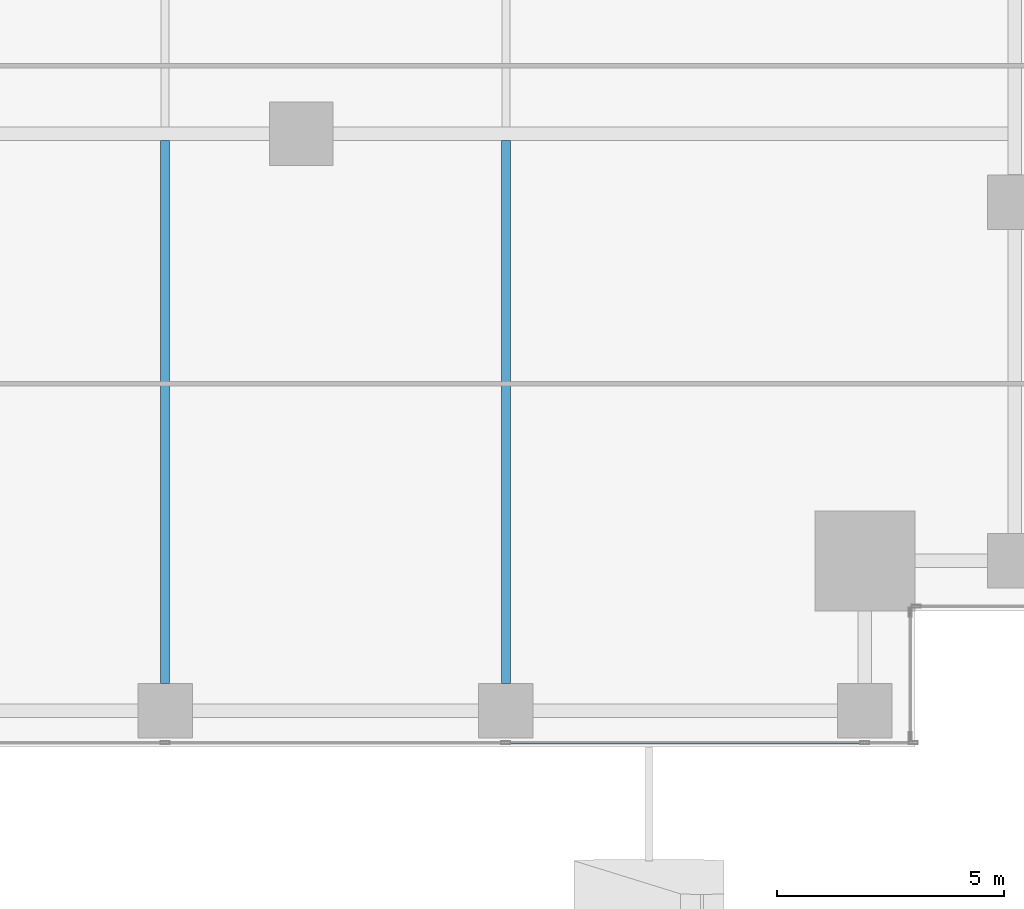
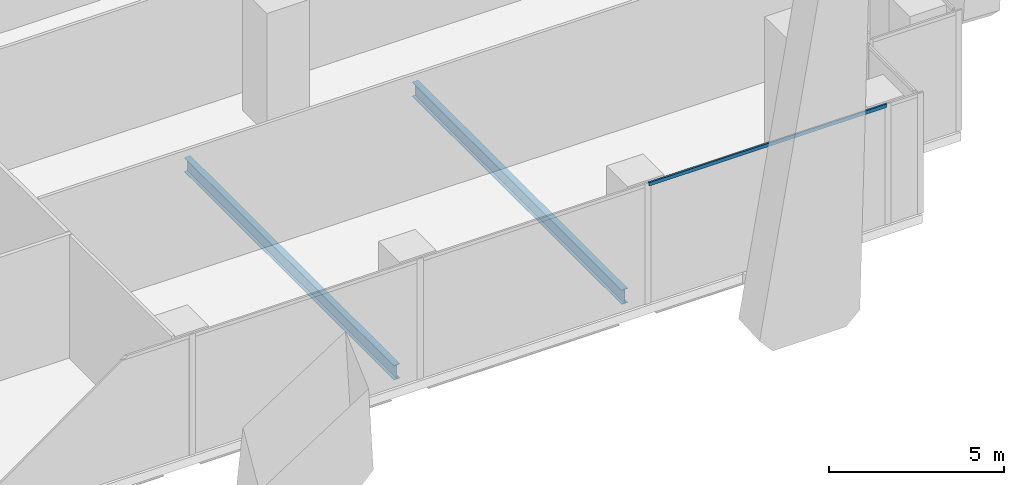
# One storey, part 8 of 35: 2 beams, 1 member, 1 element without a shape of its own.
"""IFC4 building model written with IfcOpenShell, lengths in metres."""

from ifc_helpers import new_model, si_unit, direction, frame, origin, origin_2d, place, context, subcontext, project, spatial, hollow_rectangle, i_section, extrude, source, transform, mapped, material, material_profile, profile_set, type_object, element, aggregate, save


model = new_model("IFC4")

# Units and contexts
model_context = context("Model", 3, precision=1e-05, world=origin(), true_north=direction((0.0, 1.0)))
body_context = subcontext(model_context, "Body", "Model", "MODEL_VIEW")
ifc_project = project(units=[si_unit("LENGTHUNIT", "METRE"), si_unit("AREAUNIT", "SQUARE_METRE"), si_unit("VOLUMEUNIT", "CUBIC_METRE"), si_unit("PLANEANGLEUNIT", "RADIAN"), si_unit("MASSUNIT", "GRAM", prefix="KILO")], contexts=[model_context])

# Site, building, storey
site_placement = place(None, origin())
site = spatial("IfcSite", under=ifc_project, at=site_placement, CompositionType="ELEMENT")
building_placement = place(site_placement, origin())
building = spatial("IfcBuilding", under=site, at=building_placement, Name="Khomas Fold Tower", CompositionType="ELEMENT")
storey_placement = place(building_placement, frame((0.0, 0.0, 69.0)))
storey = spatial("IfcBuildingStorey", under=building, at=storey_placement, Name="L14", CompositionType="ELEMENT", Elevation=69.0)

# Beams
ifc_material_1 = material(Name="Steel S355", Category="steel")
ifc_material_profile_1 = material_profile(ifc_material_1, i_section(OverallWidth=0.199951171875, OverallDepth=0.5, WebThickness=0.01025390625, FlangeThickness=0.01611328125, at=origin_2d()), Name="IPE 500")
ifc_profile_set_1 = profile_set([ifc_material_profile_1], Name="Steel S355")
beam_type = type_object("IfcBeamType", Name="IPE 500 beam JB5", PredefinedType="BEAM", material=ifc_profile_set_1)
shared_shape_1 = source(origin(), body_context, "Body", "SweptSolid", [
    extrude(i_section(OverallWidth=0.199951171875, OverallDepth=0.5, WebThickness=0.01025390625, FlangeThickness=0.01611328125, at=origin_2d()), origin(), (0.0, 0.0, 1.0), 11.9501953125),
])
for number, where, z_axis, x_axis, name in (
    (1, (34.5, 1.39990234375, -0.550048828125), (0.0, 1.0, 0.0), (-1.0, 0.0, 0.0), "JB5"),
    (2, (42.0, 1.39990234375, -0.550048828125), (0.0, 1.0, 0.0), (-1.0, 0.0, 0.0), "JB5"),
):
    element("IfcBeam", number, at=place(storey_placement, frame(where, z_axis=z_axis, x_axis=x_axis)), inside=storey, type_object=beam_type, Name=name, PredefinedType="BEAM", context=body_context, shape_type="MappedRepresentation", body=[
        mapped(shared_shape_1, transform((0.0, 0.0, 0.0))),
    ])

# Curtain wall, member
ifc_material_2 = material(Name="Aluminium framed double glazing", Category="aluminium")
curtain_wall_type = type_object("IfcCurtainWallType", Name="SK-Unitised clear-glass wall, growing floors CW1", PredefinedType="NOTDEFINED", material=ifc_material_2)
curtain_wall_placement = place(storey_placement, origin())
curtain_wall = element("IfcCurtainWall", 3, at=curtain_wall_placement, inside=storey, type_object=curtain_wall_type, Name="CW1 run L14 00-0", PredefinedType="NOTDEFINED")
ifc_material_3 = material(Name="Aluminium", Category="aluminium")
ifc_material_profile_2 = material_profile(ifc_material_3, hollow_rectangle(XDim=0.06005859375, YDim=0.1201171875, WallThickness=0.00390625, at=origin_2d()), Name="SK-Unitised clear-glass wall, growing floors transom CW1-T")
ifc_profile_set_2 = profile_set([ifc_material_profile_2], Name="Aluminium")
member_type = type_object("IfcMemberType", Name="SK-Unitised clear-glass wall, growing floors transom CW1-T", PredefinedType="USERDEFINED", material=ifc_profile_set_2)
shared_shape_2 = source(origin(), body_context, "Body", "SweptSolid", [
    extrude(hollow_rectangle(XDim=0.06005859375, YDim=0.1201171875, WallThickness=0.00390625, at=origin_2d()), origin(), (0.0, 0.0, 1.0), 7.840087890625),
])
member_placement = place(storey_placement, frame((42.030029296875, 0.10009765625, 4.139892578125), z_axis=(1.0, 0.0, 0.0), x_axis=(0.0, 1.0, 0.0)))
member = element("IfcMember", 4, at=member_placement, type_object=member_type, Name="CW1 transom 7", ObjectType="TRANSOM", PredefinedType="USERDEFINED", context=body_context, shape_type="MappedRepresentation", body=[
    mapped(shared_shape_2, transform((0.0, 0.0, 0.0))),
])
aggregate(curtain_wall, [member])

save(model, "model.ifc")
